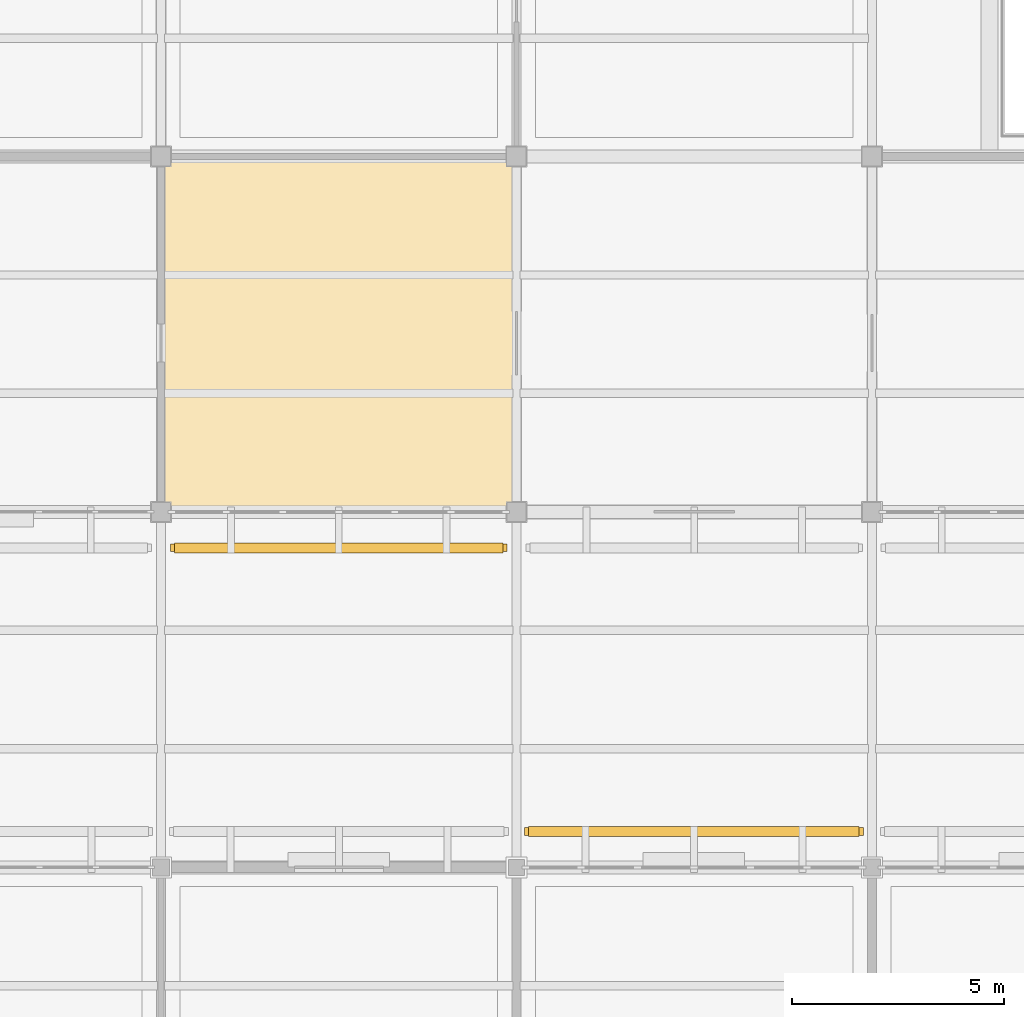
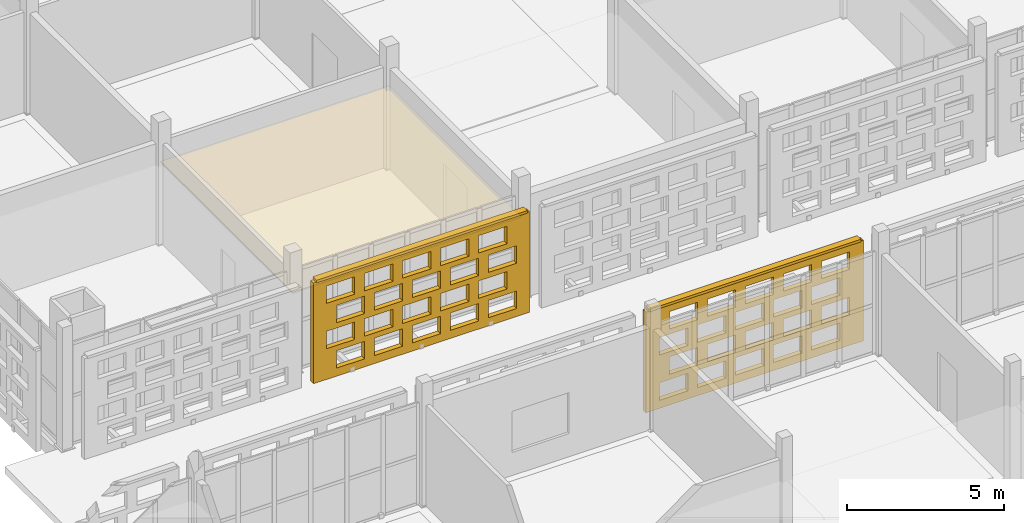
# One storey, part 191 of 203: 3 coverings, 2 shading devices, 40 openings.
"""IFC4 building model written with IfcOpenShell, lengths in metres."""

from ifc_helpers import new_model, si_unit, direction, frame, frame_2d, origin, origin_2d, place, context, subcontext, project, spatial, rectangle, extrude, material, layer, layer_set, type_object, element, save


model = new_model("IFC4")

# Units and contexts
model_context = context("Model", 3, precision=1e-05, world=origin(), true_north=direction((0.0, 1.0)))
body_context = subcontext(model_context, "Body", "Model", "MODEL_VIEW")
ifc_project = project(units=[si_unit("LENGTHUNIT", "METRE"), si_unit("AREAUNIT", "SQUARE_METRE"), si_unit("VOLUMEUNIT", "CUBIC_METRE"), si_unit("PLANEANGLEUNIT", "RADIAN"), si_unit("MASSUNIT", "GRAM", prefix="KILO")], contexts=[model_context])

# Site, building, storey
site_placement = place(None, origin())
site = spatial("IfcSite", under=ifc_project, at=site_placement, CompositionType="ELEMENT")
building_placement = place(site_placement, origin())
building = spatial("IfcBuilding", under=site, at=building_placement, Name="Varnapada Polytechnic", CompositionType="ELEMENT")
storey_placement = place(building_placement, frame((0.0, 0.0, 4.800048828125)))
storey = spatial("IfcBuildingStorey", under=building, at=storey_placement, Name="L01", CompositionType="ELEMENT", Elevation=4.800048828125)

# Covering
ifc_material_1 = material(Name="Perforated Timber Slatted Baffle Ceiling", Category="wood")
ifc_layer_1 = layer(ifc_material_1, 0.050048828125)
ifc_layer_set_1 = layer_set([ifc_layer_1], Name="Perforated Timber Slatted Baffle Ceiling")
covering_type_1 = type_object("IfcCoveringType", Name="Suspended Ceiling CLG-02", PredefinedType="CEILING", material=ifc_layer_set_1)
covering_1_placement = place(storey_placement, frame((147.0, 63.0, 3.02490234375), z_axis=(0.0, 0.0, 1.0), x_axis=(1.0, 0.0, 0.0)))
element("IfcCovering", 1, at=covering_1_placement, inside=storey, type_object=covering_type_1, Name="L01 suspended acoustic ceiling (18,8)", PredefinedType="CEILING", context=body_context, shape_type="SweptSolid", body=[
    extrude(rectangle(XDim=8.419921875, YDim=8.419921875, at=origin_2d()), origin(), (0.0, 0.0, 1.0), 0.050048828125),
])

# Covering, openings
ifc_material_2 = material(Name="Earth-toned architectural terracotta screen block", Category="masonry")
ifc_layer_2 = layer(ifc_material_2, 0.1201171875)
ifc_layer_set_2 = layer_set([ifc_layer_2], Name="Earth-toned architectural terracotta screen block")
covering_type_2 = type_object("IfcCoveringType", Name="Terracotta Screen Cladding CLD-01", PredefinedType="CLADDING", material=ifc_layer_set_2)
covering_2_placement = place(storey_placement, frame((150.97998046875, 57.949951171875, 0.0), z_axis=(0.0, 0.0, 1.0), x_axis=(-1.0, 0.0, 0.0)))
covering_2 = element("IfcCovering", 2, at=covering_2_placement, inside=storey, type_object=covering_type_2, Name="L01 perforated terracotta block screen (122)", PredefinedType="CLADDING", context=body_context, shape_type="SweptSolid", body=[
    extrude(rectangle(XDim=7.9599609375, YDim=0.179931640625, at=frame_2d((3.97998046875, 0.0))), origin(), (0.0, 0.0, 1.0), 3.919921875),
])
opening_1_placement = place(covering_2_placement, frame((0.47998046875, 0.0, 0.313720703125)))
element("IfcOpeningElement", 3, at=opening_1_placement, cuts=covering_2, Name="Screen perforation TBS-L01-121.1", PredefinedType="OPENING", context=body_context, shape_type="SweptSolid", body=[
    extrude(rectangle(XDim=1.0400390625, YDim=0.679931640625, at=frame_2d((0.52001953125, 0.33984375))), frame((0.0, 0.099853515625, 0.0), z_axis=(0.0, -1.0, 0.0), x_axis=(1.0, 0.0, 0.0)), (0.0, 0.0, 1.0), 0.199951171875),
])
opening_2_placement = place(covering_2_placement, frame((1.8798828125, 0.0, 0.313720703125)))
element("IfcOpeningElement", 4, at=opening_2_placement, cuts=covering_2, Name="Screen perforation TBS-L01-121.2", PredefinedType="OPENING", context=body_context, shape_type="SweptSolid", body=[
    extrude(rectangle(XDim=1.0400390625, YDim=0.679931640625, at=frame_2d((0.52001953125, 0.33984375))), frame((0.0, 0.099853515625, 0.0), z_axis=(0.0, -1.0, 0.0), x_axis=(1.0, 0.0, 0.0)), (0.0, 0.0, 1.0), 0.199951171875),
])
opening_3_placement = place(covering_2_placement, frame((3.280029296875, 0.0, 0.313720703125)))
element("IfcOpeningElement", 5, at=opening_3_placement, cuts=covering_2, Name="Screen perforation TBS-L01-121.3", PredefinedType="OPENING", context=body_context, shape_type="SweptSolid", body=[
    extrude(rectangle(XDim=1.0400390625, YDim=0.679931640625, at=frame_2d((0.52001953125, 0.33984375))), frame((0.0, 0.099853515625, 0.0), z_axis=(0.0, -1.0, 0.0), x_axis=(1.0, 0.0, 0.0)), (0.0, 0.0, 1.0), 0.199951171875),
])
opening_4_placement = place(covering_2_placement, frame((4.679931640625, 0.0, 0.313720703125)))
element("IfcOpeningElement", 6, at=opening_4_placement, cuts=covering_2, Name="Screen perforation TBS-L01-121.4", PredefinedType="OPENING", context=body_context, shape_type="SweptSolid", body=[
    extrude(rectangle(XDim=1.0400390625, YDim=0.679931640625, at=frame_2d((0.52001953125, 0.33984375))), frame((0.0, 0.099853515625, 0.0), z_axis=(0.0, -1.0, 0.0), x_axis=(1.0, 0.0, 0.0)), (0.0, 0.0, 1.0), 0.199951171875),
])
opening_5_placement = place(covering_2_placement, frame((6.080078125, 0.0, 0.313720703125)))
element("IfcOpeningElement", 7, at=opening_5_placement, cuts=covering_2, Name="Screen perforation TBS-L01-121.5", PredefinedType="OPENING", context=body_context, shape_type="SweptSolid", body=[
    extrude(rectangle(XDim=1.0400390625, YDim=0.679931640625, at=frame_2d((0.52001953125, 0.33984375))), frame((0.0, 0.099853515625, 0.0), z_axis=(0.0, -1.0, 0.0), x_axis=(1.0, 0.0, 0.0)), (0.0, 0.0, 1.0), 0.199951171875),
])
opening_6_placement = place(covering_2_placement, frame((0.840087890625, 0.0, 1.195556640625)))
element("IfcOpeningElement", 8, at=opening_6_placement, cuts=covering_2, Name="Screen perforation TBS-L01-121.6", PredefinedType="OPENING", context=body_context, shape_type="SweptSolid", body=[
    extrude(rectangle(XDim=1.0400390625, YDim=0.679931640625, at=frame_2d((0.52001953125, 0.33984375))), frame((0.0, 0.099853515625, 0.0), z_axis=(0.0, -1.0, 0.0), x_axis=(1.0, 0.0, 0.0)), (0.0, 0.0, 1.0), 0.199951171875),
])
opening_7_placement = place(covering_2_placement, frame((2.239990234375, 0.0, 1.195556640625)))
element("IfcOpeningElement", 9, at=opening_7_placement, cuts=covering_2, Name="Screen perforation TBS-L01-121.7", PredefinedType="OPENING", context=body_context, shape_type="SweptSolid", body=[
    extrude(rectangle(XDim=1.0400390625, YDim=0.679931640625, at=frame_2d((0.52001953125, 0.33984375))), frame((0.0, 0.099853515625, 0.0), z_axis=(0.0, -1.0, 0.0), x_axis=(1.0, 0.0, 0.0)), (0.0, 0.0, 1.0), 0.199951171875),
])
opening_8_placement = place(covering_2_placement, frame((3.639892578125, 0.0, 1.195556640625)))
element("IfcOpeningElement", 10, at=opening_8_placement, cuts=covering_2, Name="Screen perforation TBS-L01-121.8", PredefinedType="OPENING", context=body_context, shape_type="SweptSolid", body=[
    extrude(rectangle(XDim=1.0400390625, YDim=0.679931640625, at=frame_2d((0.52001953125, 0.33984375))), frame((0.0, 0.099853515625, 0.0), z_axis=(0.0, -1.0, 0.0), x_axis=(1.0, 0.0, 0.0)), (0.0, 0.0, 1.0), 0.199951171875),
])
opening_9_placement = place(covering_2_placement, frame((5.0400390625, 0.0, 1.195556640625)))
element("IfcOpeningElement", 11, at=opening_9_placement, cuts=covering_2, Name="Screen perforation TBS-L01-121.9", PredefinedType="OPENING", context=body_context, shape_type="SweptSolid", body=[
    extrude(rectangle(XDim=1.0400390625, YDim=0.679931640625, at=frame_2d((0.52001953125, 0.33984375))), frame((0.0, 0.099853515625, 0.0), z_axis=(0.0, -1.0, 0.0), x_axis=(1.0, 0.0, 0.0)), (0.0, 0.0, 1.0), 0.199951171875),
])
opening_10_placement = place(covering_2_placement, frame((6.43994140625, 0.0, 1.195556640625)))
element("IfcOpeningElement", 12, at=opening_10_placement, cuts=covering_2, Name="Screen perforation TBS-L01-121.10", PredefinedType="OPENING", context=body_context, shape_type="SweptSolid", body=[
    extrude(rectangle(XDim=1.0400390625, YDim=0.679931640625, at=frame_2d((0.52001953125, 0.33984375))), frame((0.0, 0.099853515625, 0.0), z_axis=(0.0, -1.0, 0.0), x_axis=(1.0, 0.0, 0.0)), (0.0, 0.0, 1.0), 0.199951171875),
])
opening_11_placement = place(covering_2_placement, frame((0.47998046875, 0.0, 2.07763671875)))
element("IfcOpeningElement", 13, at=opening_11_placement, cuts=covering_2, Name="Screen perforation TBS-L01-121.11", PredefinedType="OPENING", context=body_context, shape_type="SweptSolid", body=[
    extrude(rectangle(XDim=1.0400390625, YDim=0.679931640625, at=frame_2d((0.52001953125, 0.33984375))), frame((0.0, 0.099853515625, 0.0), z_axis=(0.0, -1.0, 0.0), x_axis=(1.0, 0.0, 0.0)), (0.0, 0.0, 1.0), 0.199951171875),
])
opening_12_placement = place(covering_2_placement, frame((1.8798828125, 0.0, 2.07763671875)))
element("IfcOpeningElement", 14, at=opening_12_placement, cuts=covering_2, Name="Screen perforation TBS-L01-121.12", PredefinedType="OPENING", context=body_context, shape_type="SweptSolid", body=[
    extrude(rectangle(XDim=1.0400390625, YDim=0.679931640625, at=frame_2d((0.52001953125, 0.33984375))), frame((0.0, 0.099853515625, 0.0), z_axis=(0.0, -1.0, 0.0), x_axis=(1.0, 0.0, 0.0)), (0.0, 0.0, 1.0), 0.199951171875),
])
opening_13_placement = place(covering_2_placement, frame((3.280029296875, 0.0, 2.07763671875)))
element("IfcOpeningElement", 15, at=opening_13_placement, cuts=covering_2, Name="Screen perforation TBS-L01-121.13", PredefinedType="OPENING", context=body_context, shape_type="SweptSolid", body=[
    extrude(rectangle(XDim=1.0400390625, YDim=0.679931640625, at=frame_2d((0.52001953125, 0.33984375))), frame((0.0, 0.099853515625, 0.0), z_axis=(0.0, -1.0, 0.0), x_axis=(1.0, 0.0, 0.0)), (0.0, 0.0, 1.0), 0.199951171875),
])
opening_14_placement = place(covering_2_placement, frame((4.679931640625, 0.0, 2.07763671875)))
element("IfcOpeningElement", 16, at=opening_14_placement, cuts=covering_2, Name="Screen perforation TBS-L01-121.14", PredefinedType="OPENING", context=body_context, shape_type="SweptSolid", body=[
    extrude(rectangle(XDim=1.0400390625, YDim=0.679931640625, at=frame_2d((0.52001953125, 0.33984375))), frame((0.0, 0.099853515625, 0.0), z_axis=(0.0, -1.0, 0.0), x_axis=(1.0, 0.0, 0.0)), (0.0, 0.0, 1.0), 0.199951171875),
])
opening_15_placement = place(covering_2_placement, frame((6.080078125, 0.0, 2.07763671875)))
element("IfcOpeningElement", 17, at=opening_15_placement, cuts=covering_2, Name="Screen perforation TBS-L01-121.15", PredefinedType="OPENING", context=body_context, shape_type="SweptSolid", body=[
    extrude(rectangle(XDim=1.0400390625, YDim=0.679931640625, at=frame_2d((0.52001953125, 0.33984375))), frame((0.0, 0.099853515625, 0.0), z_axis=(0.0, -1.0, 0.0), x_axis=(1.0, 0.0, 0.0)), (0.0, 0.0, 1.0), 0.199951171875),
])
opening_16_placement = place(covering_2_placement, frame((0.840087890625, 0.0, 2.959716796875)))
element("IfcOpeningElement", 18, at=opening_16_placement, cuts=covering_2, Name="Screen perforation TBS-L01-121.16", PredefinedType="OPENING", context=body_context, shape_type="SweptSolid", body=[
    extrude(rectangle(XDim=1.0400390625, YDim=0.679931640625, at=frame_2d((0.52001953125, 0.33984375))), frame((0.0, 0.099853515625, 0.0), z_axis=(0.0, -1.0, 0.0), x_axis=(1.0, 0.0, 0.0)), (0.0, 0.0, 1.0), 0.199951171875),
])
opening_17_placement = place(covering_2_placement, frame((2.239990234375, 0.0, 2.959716796875)))
element("IfcOpeningElement", 19, at=opening_17_placement, cuts=covering_2, Name="Screen perforation TBS-L01-121.17", PredefinedType="OPENING", context=body_context, shape_type="SweptSolid", body=[
    extrude(rectangle(XDim=1.0400390625, YDim=0.679931640625, at=frame_2d((0.52001953125, 0.33984375))), frame((0.0, 0.099853515625, 0.0), z_axis=(0.0, -1.0, 0.0), x_axis=(1.0, 0.0, 0.0)), (0.0, 0.0, 1.0), 0.199951171875),
])
opening_18_placement = place(covering_2_placement, frame((3.639892578125, 0.0, 2.959716796875)))
element("IfcOpeningElement", 20, at=opening_18_placement, cuts=covering_2, Name="Screen perforation TBS-L01-121.18", PredefinedType="OPENING", context=body_context, shape_type="SweptSolid", body=[
    extrude(rectangle(XDim=1.0400390625, YDim=0.679931640625, at=frame_2d((0.52001953125, 0.33984375))), frame((0.0, 0.099853515625, 0.0), z_axis=(0.0, -1.0, 0.0), x_axis=(1.0, 0.0, 0.0)), (0.0, 0.0, 1.0), 0.199951171875),
])
opening_19_placement = place(covering_2_placement, frame((5.0400390625, 0.0, 2.959716796875)))
element("IfcOpeningElement", 21, at=opening_19_placement, cuts=covering_2, Name="Screen perforation TBS-L01-121.19", PredefinedType="OPENING", context=body_context, shape_type="SweptSolid", body=[
    extrude(rectangle(XDim=1.0400390625, YDim=0.679931640625, at=frame_2d((0.52001953125, 0.33984375))), frame((0.0, 0.099853515625, 0.0), z_axis=(0.0, -1.0, 0.0), x_axis=(1.0, 0.0, 0.0)), (0.0, 0.0, 1.0), 0.199951171875),
])
opening_20_placement = place(covering_2_placement, frame((6.43994140625, 0.0, 2.959716796875)))
element("IfcOpeningElement", 22, at=opening_20_placement, cuts=covering_2, Name="Screen perforation TBS-L01-121.20", PredefinedType="OPENING", context=body_context, shape_type="SweptSolid", body=[
    extrude(rectangle(XDim=1.0400390625, YDim=0.679931640625, at=frame_2d((0.52001953125, 0.33984375))), frame((0.0, 0.099853515625, 0.0), z_axis=(0.0, -1.0, 0.0), x_axis=(1.0, 0.0, 0.0)), (0.0, 0.0, 1.0), 0.199951171875),
])

covering_3_placement = place(storey_placement, frame((151.389892578125, 51.25, 0.0), z_axis=(0.0, 0.0, 1.0), x_axis=(1.0, 0.0, 0.0)))
covering_3 = element("IfcCovering", 23, at=covering_3_placement, inside=storey, type_object=covering_type_2, Name="L01 perforated terracotta block screen (127)", PredefinedType="CLADDING", context=body_context, shape_type="SweptSolid", body=[
    extrude(rectangle(XDim=8.010009765625, YDim=0.179931640625, at=frame_2d((4.0048828125, 0.0))), origin(), (0.0, 0.0, 1.0), 3.919921875),
])
opening_21_placement = place(covering_3_placement, frame((0.5048828125, 0.0, 0.313720703125)))
element("IfcOpeningElement", 24, at=opening_21_placement, cuts=covering_3, Name="Screen perforation TBS-L01-126.1", PredefinedType="OPENING", context=body_context, shape_type="SweptSolid", body=[
    extrude(rectangle(XDim=1.0400390625, YDim=0.679931640625, at=frame_2d((0.52001953125, 0.33984375))), frame((0.0, 0.099853515625, 0.0), z_axis=(0.0, -1.0, 0.0), x_axis=(1.0, 0.0, 0.0)), (0.0, 0.0, 1.0), 0.199951171875),
])
opening_22_placement = place(covering_3_placement, frame((1.905029296875, 0.0, 0.313720703125)))
element("IfcOpeningElement", 25, at=opening_22_placement, cuts=covering_3, Name="Screen perforation TBS-L01-126.2", PredefinedType="OPENING", context=body_context, shape_type="SweptSolid", body=[
    extrude(rectangle(XDim=1.0400390625, YDim=0.679931640625, at=frame_2d((0.52001953125, 0.33984375))), frame((0.0, 0.099853515625, 0.0), z_axis=(0.0, -1.0, 0.0), x_axis=(1.0, 0.0, 0.0)), (0.0, 0.0, 1.0), 0.199951171875),
])
opening_23_placement = place(covering_3_placement, frame((3.304931640625, 0.0, 0.313720703125)))
element("IfcOpeningElement", 26, at=opening_23_placement, cuts=covering_3, Name="Screen perforation TBS-L01-126.3", PredefinedType="OPENING", context=body_context, shape_type="SweptSolid", body=[
    extrude(rectangle(XDim=1.0400390625, YDim=0.679931640625, at=frame_2d((0.52001953125, 0.33984375))), frame((0.0, 0.099853515625, 0.0), z_axis=(0.0, -1.0, 0.0), x_axis=(1.0, 0.0, 0.0)), (0.0, 0.0, 1.0), 0.199951171875),
])
opening_24_placement = place(covering_3_placement, frame((4.705078125, 0.0, 0.313720703125)))
element("IfcOpeningElement", 27, at=opening_24_placement, cuts=covering_3, Name="Screen perforation TBS-L01-126.4", PredefinedType="OPENING", context=body_context, shape_type="SweptSolid", body=[
    extrude(rectangle(XDim=1.0400390625, YDim=0.679931640625, at=frame_2d((0.52001953125, 0.33984375))), frame((0.0, 0.099853515625, 0.0), z_axis=(0.0, -1.0, 0.0), x_axis=(1.0, 0.0, 0.0)), (0.0, 0.0, 1.0), 0.199951171875),
])
opening_25_placement = place(covering_3_placement, frame((6.10498046875, 0.0, 0.313720703125)))
element("IfcOpeningElement", 28, at=opening_25_placement, cuts=covering_3, Name="Screen perforation TBS-L01-126.5", PredefinedType="OPENING", context=body_context, shape_type="SweptSolid", body=[
    extrude(rectangle(XDim=1.0400390625, YDim=0.679931640625, at=frame_2d((0.52001953125, 0.33984375))), frame((0.0, 0.099853515625, 0.0), z_axis=(0.0, -1.0, 0.0), x_axis=(1.0, 0.0, 0.0)), (0.0, 0.0, 1.0), 0.199951171875),
])
opening_26_placement = place(covering_3_placement, frame((0.864990234375, 0.0, 1.195556640625)))
element("IfcOpeningElement", 29, at=opening_26_placement, cuts=covering_3, Name="Screen perforation TBS-L01-126.6", PredefinedType="OPENING", context=body_context, shape_type="SweptSolid", body=[
    extrude(rectangle(XDim=1.0400390625, YDim=0.679931640625, at=frame_2d((0.52001953125, 0.33984375))), frame((0.0, 0.099853515625, 0.0), z_axis=(0.0, -1.0, 0.0), x_axis=(1.0, 0.0, 0.0)), (0.0, 0.0, 1.0), 0.199951171875),
])
opening_27_placement = place(covering_3_placement, frame((2.264892578125, 0.0, 1.195556640625)))
element("IfcOpeningElement", 30, at=opening_27_placement, cuts=covering_3, Name="Screen perforation TBS-L01-126.7", PredefinedType="OPENING", context=body_context, shape_type="SweptSolid", body=[
    extrude(rectangle(XDim=1.0400390625, YDim=0.679931640625, at=frame_2d((0.52001953125, 0.33984375))), frame((0.0, 0.099853515625, 0.0), z_axis=(0.0, -1.0, 0.0), x_axis=(1.0, 0.0, 0.0)), (0.0, 0.0, 1.0), 0.199951171875),
])
opening_28_placement = place(covering_3_placement, frame((3.6650390625, 0.0, 1.195556640625)))
element("IfcOpeningElement", 31, at=opening_28_placement, cuts=covering_3, Name="Screen perforation TBS-L01-126.8", PredefinedType="OPENING", context=body_context, shape_type="SweptSolid", body=[
    extrude(rectangle(XDim=1.0400390625, YDim=0.679931640625, at=frame_2d((0.52001953125, 0.33984375))), frame((0.0, 0.099853515625, 0.0), z_axis=(0.0, -1.0, 0.0), x_axis=(1.0, 0.0, 0.0)), (0.0, 0.0, 1.0), 0.199951171875),
])
opening_29_placement = place(covering_3_placement, frame((5.06494140625, 0.0, 1.195556640625)))
element("IfcOpeningElement", 32, at=opening_29_placement, cuts=covering_3, Name="Screen perforation TBS-L01-126.9", PredefinedType="OPENING", context=body_context, shape_type="SweptSolid", body=[
    extrude(rectangle(XDim=1.0400390625, YDim=0.679931640625, at=frame_2d((0.52001953125, 0.33984375))), frame((0.0, 0.099853515625, 0.0), z_axis=(0.0, -1.0, 0.0), x_axis=(1.0, 0.0, 0.0)), (0.0, 0.0, 1.0), 0.199951171875),
])
opening_30_placement = place(covering_3_placement, frame((6.465087890625, 0.0, 1.195556640625)))
element("IfcOpeningElement", 33, at=opening_30_placement, cuts=covering_3, Name="Screen perforation TBS-L01-126.10", PredefinedType="OPENING", context=body_context, shape_type="SweptSolid", body=[
    extrude(rectangle(XDim=1.0400390625, YDim=0.679931640625, at=frame_2d((0.52001953125, 0.33984375))), frame((0.0, 0.099853515625, 0.0), z_axis=(0.0, -1.0, 0.0), x_axis=(1.0, 0.0, 0.0)), (0.0, 0.0, 1.0), 0.199951171875),
])
opening_31_placement = place(covering_3_placement, frame((0.5048828125, 0.0, 2.07763671875)))
element("IfcOpeningElement", 34, at=opening_31_placement, cuts=covering_3, Name="Screen perforation TBS-L01-126.11", PredefinedType="OPENING", context=body_context, shape_type="SweptSolid", body=[
    extrude(rectangle(XDim=1.0400390625, YDim=0.679931640625, at=frame_2d((0.52001953125, 0.33984375))), frame((0.0, 0.099853515625, 0.0), z_axis=(0.0, -1.0, 0.0), x_axis=(1.0, 0.0, 0.0)), (0.0, 0.0, 1.0), 0.199951171875),
])
opening_32_placement = place(covering_3_placement, frame((1.905029296875, 0.0, 2.07763671875)))
element("IfcOpeningElement", 35, at=opening_32_placement, cuts=covering_3, Name="Screen perforation TBS-L01-126.12", PredefinedType="OPENING", context=body_context, shape_type="SweptSolid", body=[
    extrude(rectangle(XDim=1.0400390625, YDim=0.679931640625, at=frame_2d((0.52001953125, 0.33984375))), frame((0.0, 0.099853515625, 0.0), z_axis=(0.0, -1.0, 0.0), x_axis=(1.0, 0.0, 0.0)), (0.0, 0.0, 1.0), 0.199951171875),
])
opening_33_placement = place(covering_3_placement, frame((3.304931640625, 0.0, 2.07763671875)))
element("IfcOpeningElement", 36, at=opening_33_placement, cuts=covering_3, Name="Screen perforation TBS-L01-126.13", PredefinedType="OPENING", context=body_context, shape_type="SweptSolid", body=[
    extrude(rectangle(XDim=1.0400390625, YDim=0.679931640625, at=frame_2d((0.52001953125, 0.33984375))), frame((0.0, 0.099853515625, 0.0), z_axis=(0.0, -1.0, 0.0), x_axis=(1.0, 0.0, 0.0)), (0.0, 0.0, 1.0), 0.199951171875),
])
opening_34_placement = place(covering_3_placement, frame((4.705078125, 0.0, 2.07763671875)))
element("IfcOpeningElement", 37, at=opening_34_placement, cuts=covering_3, Name="Screen perforation TBS-L01-126.14", PredefinedType="OPENING", context=body_context, shape_type="SweptSolid", body=[
    extrude(rectangle(XDim=1.0400390625, YDim=0.679931640625, at=frame_2d((0.52001953125, 0.33984375))), frame((0.0, 0.099853515625, 0.0), z_axis=(0.0, -1.0, 0.0), x_axis=(1.0, 0.0, 0.0)), (0.0, 0.0, 1.0), 0.199951171875),
])
opening_35_placement = place(covering_3_placement, frame((6.10498046875, 0.0, 2.07763671875)))
element("IfcOpeningElement", 38, at=opening_35_placement, cuts=covering_3, Name="Screen perforation TBS-L01-126.15", PredefinedType="OPENING", context=body_context, shape_type="SweptSolid", body=[
    extrude(rectangle(XDim=1.0400390625, YDim=0.679931640625, at=frame_2d((0.52001953125, 0.33984375))), frame((0.0, 0.099853515625, 0.0), z_axis=(0.0, -1.0, 0.0), x_axis=(1.0, 0.0, 0.0)), (0.0, 0.0, 1.0), 0.199951171875),
])
opening_36_placement = place(covering_3_placement, frame((0.864990234375, 0.0, 2.959716796875)))
element("IfcOpeningElement", 39, at=opening_36_placement, cuts=covering_3, Name="Screen perforation TBS-L01-126.16", PredefinedType="OPENING", context=body_context, shape_type="SweptSolid", body=[
    extrude(rectangle(XDim=1.0400390625, YDim=0.679931640625, at=frame_2d((0.52001953125, 0.33984375))), frame((0.0, 0.099853515625, 0.0), z_axis=(0.0, -1.0, 0.0), x_axis=(1.0, 0.0, 0.0)), (0.0, 0.0, 1.0), 0.199951171875),
])
opening_37_placement = place(covering_3_placement, frame((2.264892578125, 0.0, 2.959716796875)))
element("IfcOpeningElement", 40, at=opening_37_placement, cuts=covering_3, Name="Screen perforation TBS-L01-126.17", PredefinedType="OPENING", context=body_context, shape_type="SweptSolid", body=[
    extrude(rectangle(XDim=1.0400390625, YDim=0.679931640625, at=frame_2d((0.52001953125, 0.33984375))), frame((0.0, 0.099853515625, 0.0), z_axis=(0.0, -1.0, 0.0), x_axis=(1.0, 0.0, 0.0)), (0.0, 0.0, 1.0), 0.199951171875),
])
opening_38_placement = place(covering_3_placement, frame((3.6650390625, 0.0, 2.959716796875)))
element("IfcOpeningElement", 41, at=opening_38_placement, cuts=covering_3, Name="Screen perforation TBS-L01-126.18", PredefinedType="OPENING", context=body_context, shape_type="SweptSolid", body=[
    extrude(rectangle(XDim=1.0400390625, YDim=0.679931640625, at=frame_2d((0.52001953125, 0.33984375))), frame((0.0, 0.099853515625, 0.0), z_axis=(0.0, -1.0, 0.0), x_axis=(1.0, 0.0, 0.0)), (0.0, 0.0, 1.0), 0.199951171875),
])
opening_39_placement = place(covering_3_placement, frame((5.06494140625, 0.0, 2.959716796875)))
element("IfcOpeningElement", 42, at=opening_39_placement, cuts=covering_3, Name="Screen perforation TBS-L01-126.19", PredefinedType="OPENING", context=body_context, shape_type="SweptSolid", body=[
    extrude(rectangle(XDim=1.0400390625, YDim=0.679931640625, at=frame_2d((0.52001953125, 0.33984375))), frame((0.0, 0.099853515625, 0.0), z_axis=(0.0, -1.0, 0.0), x_axis=(1.0, 0.0, 0.0)), (0.0, 0.0, 1.0), 0.199951171875),
])
opening_40_placement = place(covering_3_placement, frame((6.465087890625, 0.0, 2.959716796875)))
element("IfcOpeningElement", 43, at=opening_40_placement, cuts=covering_3, Name="Screen perforation TBS-L01-126.20", PredefinedType="OPENING", context=body_context, shape_type="SweptSolid", body=[
    extrude(rectangle(XDim=1.0400390625, YDim=0.679931640625, at=frame_2d((0.52001953125, 0.33984375))), frame((0.0, 0.099853515625, 0.0), z_axis=(0.0, -1.0, 0.0), x_axis=(1.0, 0.0, 0.0)), (0.0, 0.0, 1.0), 0.199951171875),
])

# Shading devices
ifc_layer_3 = layer(ifc_material_2, 0.179931640625)
ifc_layer_set_3 = layer_set([ifc_layer_3], Name="Earth-toned architectural terracotta screen block")
shading_device_type = type_object("IfcShadingDeviceType", Name="Terracotta Screen SCR-02", PredefinedType="USERDEFINED", material=ifc_layer_set_3)
shading_device_1_placement = place(storey_placement, frame((147.0, 57.949951171875, 3.909912109375), z_axis=(0.0, 0.0, 1.0), x_axis=(-1.0, 0.0, 0.0)))
element("IfcShadingDevice", 44, at=shading_device_1_placement, inside=storey, type_object=shading_device_type, Name="L01 perforated terracotta screen hood 200", ObjectType="SCREEN", PredefinedType="USERDEFINED", context=body_context, shape_type="SweptSolid", body=[
    extrude(rectangle(XDim=7.760009765625, YDim=0.239990234375, at=origin_2d()), origin(), (0.0, 0.0, 1.0), 0.10009765625),
])
shading_device_2_placement = place(storey_placement, frame((155.39501953125, 51.25, 3.909912109375), z_axis=(0.0, 0.0, 1.0), x_axis=(1.0, 0.0, 0.0)))
element("IfcShadingDevice", 45, at=shading_device_2_placement, inside=storey, type_object=shading_device_type, Name="L01 perforated terracotta screen hood 205", ObjectType="SCREEN", PredefinedType="USERDEFINED", context=body_context, shape_type="SweptSolid", body=[
    extrude(rectangle(XDim=7.81005859375, YDim=0.239990234375, at=origin_2d()), origin(), (0.0, 0.0, 1.0), 0.10009765625),
])

save(model, "model.ifc")
